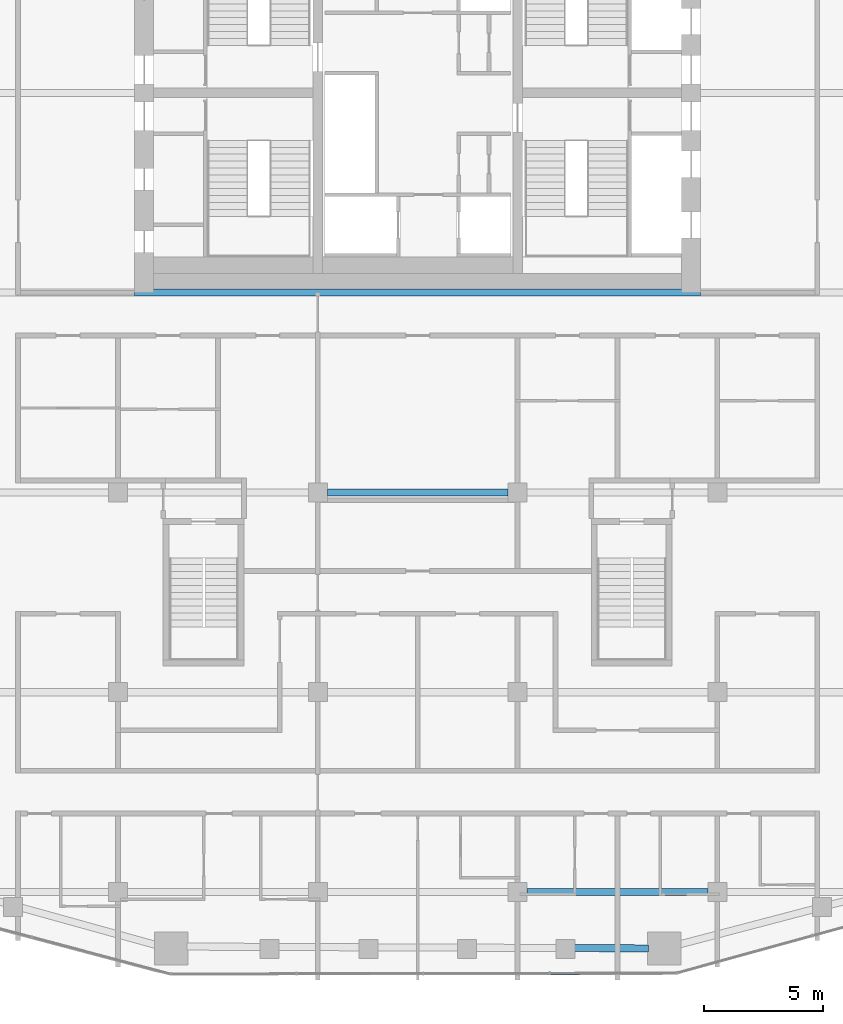
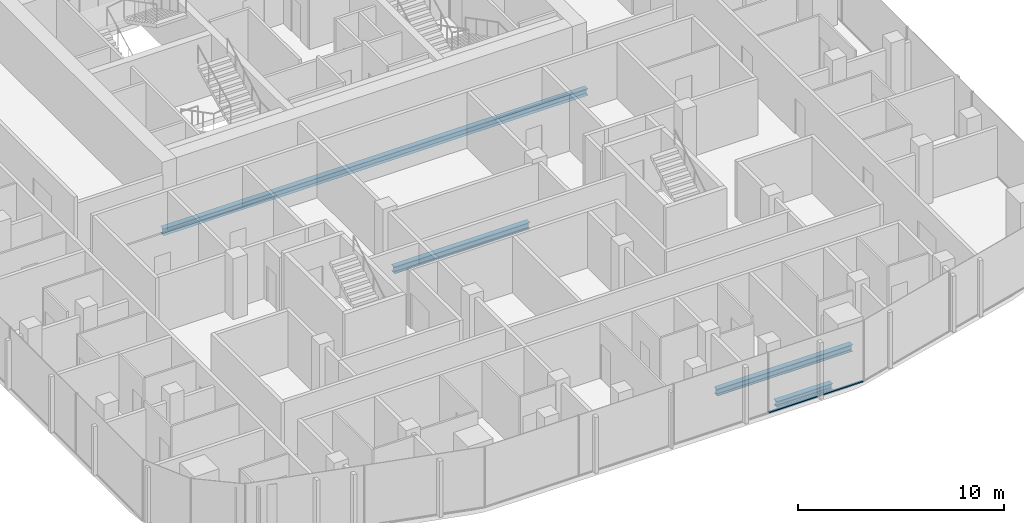
# One storey, part 5 of 22: 4 beams, 1 member, 1 element without a shape of its own.
"""IFC4 building model written with IfcOpenShell, lengths in metres."""

from ifc_helpers import new_model, si_unit, direction, frame, origin, origin_2d, place, context, subcontext, project, spatial, rectangle, i_section, extrude, material, layer, layer_set, material_profile, profile_set, type_object, element, aggregate, save


model = new_model("IFC4")

# Units and contexts
model_context = context("Model", 3, precision=1e-05, world=origin(), true_north=direction((0.0, 1.0)))
body_context = subcontext(model_context, "Body", "Model", "MODEL_VIEW")
ifc_project = project(units=[si_unit("LENGTHUNIT", "METRE"), si_unit("AREAUNIT", "SQUARE_METRE"), si_unit("VOLUMEUNIT", "CUBIC_METRE"), si_unit("PLANEANGLEUNIT", "RADIAN"), si_unit("MASSUNIT", "GRAM", prefix="KILO")], contexts=[model_context])

# Site, building, storey
site_placement = place(None, origin())
site = spatial("IfcSite", under=ifc_project, at=site_placement, CompositionType="ELEMENT")
building_placement = place(site_placement, origin())
building = spatial("IfcBuilding", under=site, at=building_placement, Name="Marenta Gate Hotel Tower", CompositionType="ELEMENT")
storey_placement = place(building_placement, frame((0.0, 0.0, 223.699951171875)))
storey = spatial("IfcBuildingStorey", under=building, at=storey_placement, Name="L52", CompositionType="ELEMENT", Elevation=223.699951171875)

# Beams
ifc_material_1 = material(Name="Steel S355", Category="steel")
ifc_material_profile_1 = material_profile(ifc_material_1, i_section(OverallWidth=0.300048828125, OverallDepth=0.340087890625, WebThickness=0.011962890625, FlangeThickness=0.021484375, FilletRadius=0.027099609375, at=origin_2d()), Name="HEB 340")
ifc_profile_set_1 = profile_set([ifc_material_profile_1], Name="Steel S355")
beam_type_1 = type_object("IfcBeamType", Name="Edge beam HEB 340", PredefinedType="SPANDREL", material=ifc_profile_set_1)
beam_1_placement = place(storey_placement, frame((9.706298828125, -27.570068359375, -0.429931640625), z_axis=(-0.999992678531, 0.003826602206, 0.0), x_axis=(-0.003826602206, -0.999992678531, 0.0)))
element("IfcBeam", 1, at=beam_1_placement, inside=storey, type_object=beam_type_1, Name="L52-EB-32", PredefinedType="SPANDREL", context=body_context, shape_type="SweptSolid", body=[
    extrude(i_section(OverallWidth=0.300048828125, OverallDepth=0.340087890625, WebThickness=0.011962890625, FlangeThickness=0.021484375, FilletRadius=0.027099609375, at=origin_2d()), origin(), (0.0, 0.0, 1.0), 3.126220703125),
])
ifc_material_2 = material(Name="Steel S355", Category="steel")
ifc_material_profile_2 = material_profile(ifc_material_2, i_section(OverallWidth=0.300048828125, OverallDepth=0.39990234375, WebThickness=0.013427734375, FlangeThickness=0.02392578125, FilletRadius=0.027099609375, at=origin_2d()), Name="HEB 400")
ifc_profile_set_2 = profile_set([ifc_material_profile_2], Name="Steel S355")
beam_type_2 = type_object("IfcBeamType", Name="Girder HEB 400", PredefinedType="BEAM", material=ifc_profile_set_2)
beam_2_placement = place(storey_placement, frame((4.60009765625, -25.199951171875, -0.4599609375), z_axis=(1.0, 0.0, 0.0), x_axis=(0.0, 1.0, 0.0)))
element("IfcBeam", 2, at=beam_2_placement, inside=storey, type_object=beam_type_2, Name="L52-GD-4", PredefinedType="BEAM", context=body_context, shape_type="SweptSolid", body=[
    extrude(i_section(OverallWidth=0.300048828125, OverallDepth=0.39990234375, WebThickness=0.013427734375, FlangeThickness=0.02392578125, FilletRadius=0.027099609375, at=origin_2d()), origin(), (0.0, 0.0, 1.0), 7.599853515625),
])
beam_3_placement = place(storey_placement, frame((-3.800048828125, -8.39990234375, -0.4599609375), z_axis=(1.0, 0.0, 0.0), x_axis=(0.0, 1.0, 0.0)))
element("IfcBeam", 3, at=beam_3_placement, inside=storey, type_object=beam_type_2, Name="L52-GD-16", PredefinedType="BEAM", context=body_context, shape_type="SweptSolid", body=[
    extrude(i_section(OverallWidth=0.300048828125, OverallDepth=0.39990234375, WebThickness=0.013427734375, FlangeThickness=0.02392578125, FilletRadius=0.027099609375, at=origin_2d()), origin(), (0.0, 0.0, 1.0), 7.60009765625),
])
beam_4_placement = place(storey_placement, frame((-11.89990234375, 0.0, -0.4599609375), z_axis=(1.0, 0.0, 0.0), x_axis=(0.0, 1.0, 0.0)))
element("IfcBeam", 4, at=beam_4_placement, inside=storey, type_object=beam_type_2, Name="L52-GD-22", PredefinedType="BEAM", context=body_context, shape_type="SweptSolid", body=[
    extrude(i_section(OverallWidth=0.300048828125, OverallDepth=0.39990234375, WebThickness=0.013427734375, FlangeThickness=0.02392578125, FilletRadius=0.027099609375, at=origin_2d()), origin(), (0.0, 0.0, 1.0), 23.7998046875),
])

# Curtain wall, member
ifc_material_3 = material(Name="Tinted insulated glass in bronze anodised frame", Category="glass")
ifc_layer = layer(ifc_material_3, 0.1201171875)
ifc_layer_set = layer_set([ifc_layer], Name="Tinted insulated glass in bronze anodised frame")
curtain_wall_type = type_object("IfcCurtainWallType", Name="Tower unitised curtain wall CW1", PredefinedType="NOTDEFINED", material=ifc_layer_set)
curtain_wall_placement = place(storey_placement, origin())
curtain_wall = element("IfcCurtainWall", 5, at=curtain_wall_placement, inside=storey, type_object=curtain_wall_type, Name="CW1 run G07", PredefinedType="NOTDEFINED")
ifc_material_4 = material(Name="Bronze anodised aluminium", Category="aluminium")
ifc_material_profile_3 = material_profile(ifc_material_4, rectangle(XDim=0.1201171875, YDim=0.06005859375, at=origin_2d()), Name="Transom CW1 60x120 bronze anodised aluminium")
ifc_profile_set_3 = profile_set([ifc_material_profile_3], Name="Bronze anodised aluminium")
member_type = type_object("IfcMemberType", Name="Transom CW1 60x120 bronze anodised aluminium", PredefinedType="USERDEFINED", material=ifc_profile_set_3)
member_placement = place(storey_placement, frame((5.583740234375, -28.62109375, 0.030029296875), z_axis=(0.999998695429, 0.001615283106, 0.0), x_axis=(-0.001615283106, 0.999998695429, 0.0)))
member = element("IfcMember", 6, at=member_placement, type_object=member_type, Name="CW1 transom 4.1", ObjectType="TRANSOM", PredefinedType="USERDEFINED", context=body_context, shape_type="SweptSolid", body=[
    extrude(rectangle(XDim=0.1201171875, YDim=0.06005859375, at=origin_2d()), origin(), (0.0, 0.0, 1.0), 5.2900390625),
])
aggregate(curtain_wall, [member])

save(model, "model.ifc")
